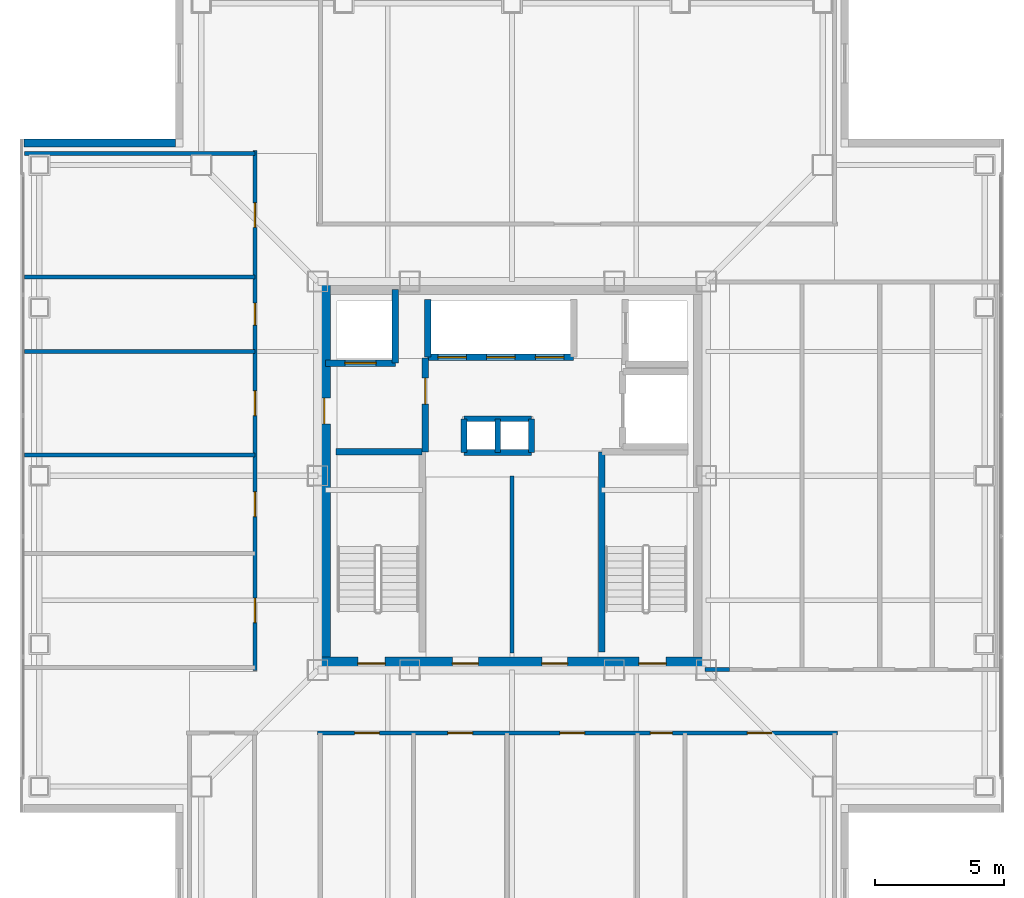
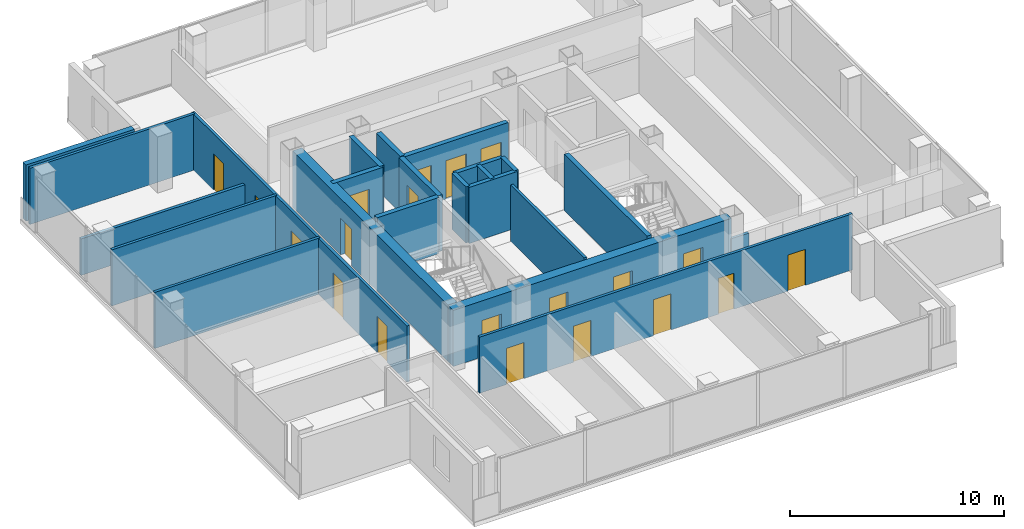
# One storey, part 9 of 16: 23 walls, 20 doors, 20 openings.
"""IFC4 building model written with IfcOpenShell, lengths in metres."""

from ifc_helpers import new_model, si_unit, direction, frame, frame_2d, origin, place, context, subcontext, project, spatial, rectangle, extrude, material, layer, layer_set, type_object, element, fill, save


model = new_model("IFC4")

# Units and contexts
model_context = context("Model", 3, precision=1e-05, world=origin(), true_north=direction((0.0, 1.0)))
body_context = subcontext(model_context, "Body", "Model", "MODEL_VIEW")
ifc_project = project(units=[si_unit("LENGTHUNIT", "METRE"), si_unit("AREAUNIT", "SQUARE_METRE"), si_unit("VOLUMEUNIT", "CUBIC_METRE"), si_unit("PLANEANGLEUNIT", "RADIAN"), si_unit("MASSUNIT", "GRAM", prefix="KILO")], contexts=[model_context])

# Site, building, storey
site_placement = place(None, origin())
site = spatial("IfcSite", under=ifc_project, at=site_placement, CompositionType="ELEMENT")
building_placement = place(site_placement, origin())
building = spatial("IfcBuilding", under=site, at=building_placement, Name="Trevonay Congress Spire", CompositionType="ELEMENT")
storey_placement = place(building_placement, frame((0.0, 0.0, 297.199951171875)))
storey = spatial("IfcBuildingStorey", under=building, at=storey_placement, Name="L78", CompositionType="ELEMENT", Elevation=297.199951171875)

# Wall, openings, doors
ifc_material_1 = material(Name="Concrete C50/60", Category="concrete")
ifc_layer_1 = layer(ifc_material_1, 0.5, Name="Concrete C50/60")
ifc_layer_set_1 = layer_set([ifc_layer_1], Name="Concrete C50/60")
wall_type_1 = type_object("IfcWallType", Name="WAL-CORE-500", PredefinedType="SHEAR", material=ifc_layer_set_1)
wall_1_placement = place(storey_placement, frame((-7.5, -7.25, 0.0), z_axis=(0.0, 0.0, 1.0), x_axis=(1.0, 0.0, 0.0)))
wall_1 = element("IfcWall", 1, at=wall_1_placement, inside=storey, type_object=wall_type_1, Name="L78 South structural core shear wall", PredefinedType="SHEAR", context=body_context, shape_type="SweptSolid", body=[
    extrude(rectangle(XDim=15.0, YDim=0.5, at=frame_2d((7.5, 0.0))), origin(), (0.0, 0.0, 1.0), 3.199951171875),
])
opening_1_placement = place(wall_1_placement, frame((1.550048828125, 0.0, 0.0)))
opening_1 = element("IfcOpeningElement", 2, at=opening_1_placement, cuts=wall_1, Name="Opening D05", PredefinedType="OPENING", context=body_context, shape_type="SweptSolid", body=[
    extrude(rectangle(XDim=1.050048828125, YDim=2.080078125, at=frame_2d((0.52490234375, 1.0400390625))), frame((0.0, 0.260009765625, 0.0), z_axis=(0.0, -1.0, 0.0), x_axis=(1.0, 0.0, 0.0)), (0.0, 0.0, 1.0), 0.52001953125),
])
opening_2_placement = place(wall_1_placement, frame((12.39990234375, 0.0, 0.0)))
opening_2 = element("IfcOpeningElement", 3, at=opening_2_placement, cuts=wall_1, Name="Opening D05", PredefinedType="OPENING", context=body_context, shape_type="SweptSolid", body=[
    extrude(rectangle(XDim=1.050048828125, YDim=2.080078125, at=frame_2d((0.52490234375, 1.0400390625))), frame((0.0, 0.260009765625, 0.0), z_axis=(0.0, -1.0, 0.0), x_axis=(1.0, 0.0, 0.0)), (0.0, 0.0, 1.0), 0.52001953125),
])
opening_3_placement = place(wall_1_placement, frame((5.199951171875, 0.0, 0.0)))
opening_3 = element("IfcOpeningElement", 4, at=opening_3_placement, cuts=wall_1, Name="Opening D06", PredefinedType="OPENING", context=body_context, shape_type="SweptSolid", body=[
    extrude(rectangle(XDim=1.0, YDim=2.080078125, at=frame_2d((0.5, 1.0400390625))), frame((0.0, 0.260009765625, 0.0), z_axis=(0.0, -1.0, 0.0), x_axis=(1.0, 0.0, 0.0)), (0.0, 0.0, 1.0), 0.52001953125),
])
opening_4_placement = place(wall_1_placement, frame((8.64990234375, 0.0, 0.0)))
opening_4 = element("IfcOpeningElement", 5, at=opening_4_placement, cuts=wall_1, Name="Opening D06", PredefinedType="OPENING", context=body_context, shape_type="SweptSolid", body=[
    extrude(rectangle(XDim=1.0, YDim=2.080078125, at=frame_2d((0.5, 1.0400390625))), frame((0.0, 0.260009765625, 0.0), z_axis=(0.0, -1.0, 0.0), x_axis=(1.0, 0.0, 0.0)), (0.0, 0.0, 1.0), 0.52001953125),
])
ifc_material_2 = material(Name="Steel ASTM A572 Grade 50", Category="steel")
door_type_1 = type_object("IfcDoorType", Name="DOR-FIRE-100", OperationType="NOTDEFINED", PredefinedType="DOOR", material=ifc_material_2)
door_1_placement = place(opening_3_placement, origin())
door_1 = element("IfcDoor", 6, at=door_1_placement, inside=storey, type_object=door_type_1, Name="L78 South Core Room 1 Door", OperationType="SINGLE_SWING_LEFT", OverallHeight=2.080078125, OverallWidth=1.0, PredefinedType="DOOR", context=body_context, shape_type="SweptSolid", body=[
    extrude(rectangle(XDim=1.0, YDim=2.080078125, at=frame_2d((0.5, 1.0400390625))), frame((0.0, 0.02490234375, 0.0), z_axis=(0.0, -1.0, 0.0), x_axis=(1.0, 0.0, 0.0)), (0.0, 0.0, 1.0), 0.050048828125),
])
fill(opening_3, door_1)
door_2_placement = place(opening_4_placement, origin())
door_2 = element("IfcDoor", 7, at=door_2_placement, inside=storey, type_object=door_type_1, Name="L78 South Core Room 2 Door", OperationType="SINGLE_SWING_RIGHT", OverallHeight=2.080078125, OverallWidth=1.0, PredefinedType="DOOR", context=body_context, shape_type="SweptSolid", body=[
    extrude(rectangle(XDim=1.0, YDim=2.080078125, at=frame_2d((0.5, 1.0400390625))), frame((0.0, 0.02490234375, 0.0), z_axis=(0.0, -1.0, 0.0), x_axis=(1.0, 0.0, 0.0)), (0.0, 0.0, 1.0), 0.050048828125),
])
fill(opening_4, door_2)
door_type_2 = type_object("IfcDoorType", Name="DOR-STAIR-110", OperationType="NOTDEFINED", PredefinedType="DOOR", material=ifc_material_2)
door_3_placement = place(opening_1_placement, origin())
door_3 = element("IfcDoor", 8, at=door_3_placement, inside=storey, type_object=door_type_2, Name="L78 Protected Stair ST-1 Door", OperationType="SINGLE_SWING_RIGHT", OverallHeight=2.080078125, OverallWidth=1.050048828125, PredefinedType="DOOR", context=body_context, shape_type="SweptSolid", body=[
    extrude(rectangle(XDim=1.050048828125, YDim=2.080078125, at=frame_2d((0.52490234375, 1.0400390625))), frame((0.0, 0.02490234375, 0.0), z_axis=(0.0, -1.0, 0.0), x_axis=(1.0, 0.0, 0.0)), (0.0, 0.0, 1.0), 0.050048828125),
])
fill(opening_1, door_3)
door_4_placement = place(opening_2_placement, origin())
door_4 = element("IfcDoor", 9, at=door_4_placement, inside=storey, type_object=door_type_2, Name="L78 Protected Stair ST-2 Door", OperationType="SINGLE_SWING_LEFT", OverallHeight=2.080078125, OverallWidth=1.050048828125, PredefinedType="DOOR", context=body_context, shape_type="SweptSolid", body=[
    extrude(rectangle(XDim=1.050048828125, YDim=2.080078125, at=frame_2d((0.52490234375, 1.0400390625))), frame((0.0, 0.02490234375, 0.0), z_axis=(0.0, -1.0, 0.0), x_axis=(1.0, 0.0, 0.0)), (0.0, 0.0, 1.0), 0.050048828125),
])
fill(opening_2, door_4)

# Wall, opening, door
wall_2_placement = place(storey_placement, frame((-7.25, -7.5, 0.0), z_axis=(0.0, 0.0, 1.0), x_axis=(0.0, 1.0, 0.0)))
wall_2 = element("IfcWall", 10, at=wall_2_placement, inside=storey, type_object=wall_type_1, Name="L78 West structural core shear wall", PredefinedType="SHEAR", context=body_context, shape_type="SweptSolid", body=[
    extrude(rectangle(XDim=15.0, YDim=0.5, at=frame_2d((7.5, 0.0))), origin(), (0.0, 0.0, 1.0), 3.199951171875),
])
opening_5_placement = place(wall_2_placement, frame((9.5, 0.0, 0.0)))
opening_5 = element("IfcOpeningElement", 11, at=opening_5_placement, cuts=wall_2, Name="Opening D06", PredefinedType="OPENING", context=body_context, shape_type="SweptSolid", body=[
    extrude(rectangle(XDim=1.0, YDim=2.080078125, at=frame_2d((0.5, 1.0400390625))), frame((0.0, 0.260009765625, 0.0), z_axis=(0.0, -1.0, 0.0), x_axis=(1.0, 0.0, 0.0)), (0.0, 0.0, 1.0), 0.52001953125),
])
door_5_placement = place(opening_5_placement, origin())
door_5 = element("IfcDoor", 12, at=door_5_placement, inside=storey, type_object=door_type_1, Name="L78 Firefighting Lift Lobby West Corridor Door", OperationType="SINGLE_SWING_RIGHT", OverallHeight=2.080078125, OverallWidth=1.0, PredefinedType="DOOR", context=body_context, shape_type="SweptSolid", body=[
    extrude(rectangle(XDim=1.0, YDim=2.080078125, at=frame_2d((0.5, 1.0400390625))), frame((0.0, 0.02490234375, 0.0), z_axis=(0.0, -1.0, 0.0), x_axis=(1.0, 0.0, 0.0)), (0.0, 0.0, 1.0), 0.050048828125),
])
fill(opening_5, door_5)

# Wall, openings, doors
ifc_material_3 = material(Name="Concrete C40/50", Category="concrete")
ifc_layer_2 = layer(ifc_material_3, 0.14990234375, Name="Concrete C40/50")
ifc_layer_set_2 = layer_set([ifc_layer_2], Name="Concrete C40/50")
wall_type_2 = type_object("IfcWallType", Name="WAL-CORR-150", PredefinedType="PARTITIONING", material=ifc_layer_set_2)
wall_3_placement = place(storey_placement, frame((-7.52001953125, -9.929931640625, 0.0), z_axis=(0.0, 0.0, 1.0), x_axis=(1.0, 0.0, 0.0)))
wall_3 = element("IfcWall", 13, at=wall_3_placement, inside=storey, type_object=wall_type_2, Name="L78 interior wall WP-L78SE-COR", PredefinedType="PARTITIONING", context=body_context, shape_type="SweptSolid", body=[
    extrude(rectangle(XDim=20.090087890625, YDim=0.14990234375, at=frame_2d((10.044921875, 0.0))), origin(), (0.0, 0.0, 1.0), 3.199951171875),
])
opening_6_placement = place(wall_3_placement, frame((1.445068359375, 0.0, 0.0)))
opening_6 = element("IfcOpeningElement", 14, at=opening_6_placement, cuts=wall_3, Name="Opening D07", PredefinedType="OPENING", context=body_context, shape_type="SweptSolid", body=[
    extrude(rectangle(XDim=0.949951171875, YDim=2.06005859375, at=frame_2d((0.47509765625, 1.030029296875))), frame((0.0, 0.0849609375, 0.0), z_axis=(0.0, -1.0, 0.0), x_axis=(1.0, 0.0, 0.0)), (0.0, 0.0, 1.0), 0.169921875),
])
opening_7_placement = place(wall_3_placement, frame((5.044921875, 0.0, 0.0)))
opening_7 = element("IfcOpeningElement", 15, at=opening_7_placement, cuts=wall_3, Name="Opening D07", PredefinedType="OPENING", context=body_context, shape_type="SweptSolid", body=[
    extrude(rectangle(XDim=0.949951171875, YDim=2.06005859375, at=frame_2d((0.47509765625, 1.030029296875))), frame((0.0, 0.0849609375, 0.0), z_axis=(0.0, -1.0, 0.0), x_axis=(1.0, 0.0, 0.0)), (0.0, 0.0, 1.0), 0.169921875),
])
opening_8_placement = place(wall_3_placement, frame((9.3701171875, 0.0, 0.0)))
opening_8 = element("IfcOpeningElement", 16, at=opening_8_placement, cuts=wall_3, Name="Opening D07", PredefinedType="OPENING", context=body_context, shape_type="SweptSolid", body=[
    extrude(rectangle(XDim=0.949951171875, YDim=2.06005859375, at=frame_2d((0.47509765625, 1.030029296875))), frame((0.0, 0.0849609375, 0.0), z_axis=(0.0, -1.0, 0.0), x_axis=(1.0, 0.0, 0.0)), (0.0, 0.0, 1.0), 0.169921875),
])
opening_9_placement = place(wall_3_placement, frame((12.860107421875, 0.0, 0.0)))
opening_9 = element("IfcOpeningElement", 17, at=opening_9_placement, cuts=wall_3, Name="Opening D10", PredefinedType="OPENING", context=body_context, shape_type="SweptSolid", body=[
    extrude(rectangle(XDim=0.85009765625, YDim=2.050048828125, at=frame_2d((0.425048828125, 1.02490234375))), frame((0.0, 0.0849609375, 0.0), z_axis=(0.0, -1.0, 0.0), x_axis=(1.0, 0.0, 0.0)), (0.0, 0.0, 1.0), 0.169921875),
])
opening_10_placement = place(wall_3_placement, frame((16.610107421875, 0.0, 0.0)))
opening_10 = element("IfcOpeningElement", 18, at=opening_10_placement, cuts=wall_3, Name="Opening D07", PredefinedType="OPENING", context=body_context, shape_type="SweptSolid", body=[
    extrude(rectangle(XDim=0.949951171875, YDim=2.06005859375, at=frame_2d((0.47509765625, 1.030029296875))), frame((0.0, 0.0849609375, 0.0), z_axis=(0.0, -1.0, 0.0), x_axis=(1.0, 0.0, 0.0)), (0.0, 0.0, 1.0), 0.169921875),
])
ifc_material_4 = material(Name="Pale Anodised Aluminium EN AW-6063-T6", Category="aluminium")
door_type_3 = type_object("IfcDoorType", Name="DOR-OFFICE-95", OperationType="NOTDEFINED", PredefinedType="DOOR", material=ifc_material_4)
door_6_placement = place(opening_6_placement, origin())
door_6 = element("IfcDoor", 19, at=door_6_placement, inside=storey, type_object=door_type_3, Name="L78 Sky Brasserie Show Kitchen Door", OperationType="SINGLE_SWING_LEFT", OverallHeight=2.06005859375, OverallWidth=0.949951171875, PredefinedType="DOOR", context=body_context, shape_type="SweptSolid", body=[
    extrude(rectangle(XDim=0.949951171875, YDim=2.06005859375, at=frame_2d((0.47509765625, 1.030029296875))), frame((0.0, 0.02490234375, 0.0), z_axis=(0.0, -1.0, 0.0), x_axis=(1.0, 0.0, 0.0)), (0.0, 0.0, 1.0), 0.050048828125),
])
fill(opening_6, door_6)
door_7_placement = place(opening_7_placement, origin())
door_7 = element("IfcDoor", 20, at=door_7_placement, inside=storey, type_object=door_type_3, Name="L78 Pastry Studio Kitchen Door", OperationType="SINGLE_SWING_RIGHT", OverallHeight=2.06005859375, OverallWidth=0.949951171875, PredefinedType="DOOR", context=body_context, shape_type="SweptSolid", body=[
    extrude(rectangle(XDim=0.949951171875, YDim=2.06005859375, at=frame_2d((0.47509765625, 1.030029296875))), frame((0.0, 0.02490234375, 0.0), z_axis=(0.0, -1.0, 0.0), x_axis=(1.0, 0.0, 0.0)), (0.0, 0.0, 1.0), 0.050048828125),
])
fill(opening_7, door_7)
door_8_placement = place(opening_8_placement, origin())
door_8 = element("IfcDoor", 21, at=door_8_placement, inside=storey, type_object=door_type_3, Name="L78 Espresso Roastery Bar Door", OperationType="SINGLE_SWING_LEFT", OverallHeight=2.06005859375, OverallWidth=0.949951171875, PredefinedType="DOOR", context=body_context, shape_type="SweptSolid", body=[
    extrude(rectangle(XDim=0.949951171875, YDim=2.06005859375, at=frame_2d((0.47509765625, 1.030029296875))), frame((0.0, 0.02490234375, 0.0), z_axis=(0.0, -1.0, 0.0), x_axis=(1.0, 0.0, 0.0)), (0.0, 0.0, 1.0), 0.050048828125),
])
fill(opening_8, door_8)
door_9_placement = place(opening_10_placement, origin())
door_9 = element("IfcDoor", 22, at=door_9_placement, inside=storey, type_object=door_type_3, Name="L78 Floor Supplies and Copy Room Door", OperationType="SINGLE_SWING_LEFT", OverallHeight=2.06005859375, OverallWidth=0.949951171875, PredefinedType="DOOR", context=body_context, shape_type="SweptSolid", body=[
    extrude(rectangle(XDim=0.949951171875, YDim=2.06005859375, at=frame_2d((0.47509765625, 1.030029296875))), frame((0.0, 0.02490234375, 0.0), z_axis=(0.0, -1.0, 0.0), x_axis=(1.0, 0.0, 0.0)), (0.0, 0.0, 1.0), 0.050048828125),
])
fill(opening_10, door_9)
door_type_4 = type_object("IfcDoorType", Name="DOR-WC-85", OperationType="NOTDEFINED", PredefinedType="DOOR", material=ifc_material_4)
door_10_placement = place(opening_9_placement, origin())
door_10 = element("IfcDoor", 23, at=door_10_placement, inside=storey, type_object=door_type_4, Name="L78 Accessible WC Door", OperationType="SINGLE_SWING_RIGHT", OverallHeight=2.050048828125, OverallWidth=0.85009765625, PredefinedType="DOOR", context=body_context, shape_type="SweptSolid", body=[
    extrude(rectangle(XDim=0.85009765625, YDim=2.050048828125, at=frame_2d((0.425048828125, 1.02490234375))), frame((0.0, 0.02490234375, 0.0), z_axis=(0.0, -1.0, 0.0), x_axis=(1.0, 0.0, 0.0)), (0.0, 0.0, 1.0), 0.050048828125),
])
fill(opening_9, door_10)

wall_4_placement = place(storey_placement, frame((-9.929931640625, -7.52001953125, 0.0), z_axis=(0.0, 0.0, 1.0), x_axis=(0.0, 1.0, 0.0)))
wall_4 = element("IfcWall", 24, at=wall_4_placement, inside=storey, type_object=wall_type_2, Name="L78 interior wall WP-L78NW-COR", PredefinedType="PARTITIONING", context=body_context, shape_type="SweptSolid", body=[
    extrude(rectangle(XDim=20.090087890625, YDim=0.14990234375, at=frame_2d((10.044921875, 0.0))), origin(), (0.0, 0.0, 1.0), 3.199951171875),
])
opening_11_placement = place(wall_4_placement, frame((1.844970703125, 0.0, 0.0)))
opening_11 = element("IfcOpeningElement", 25, at=opening_11_placement, cuts=wall_4, Name="Opening D07", PredefinedType="OPENING", context=body_context, shape_type="SweptSolid", body=[
    extrude(rectangle(XDim=0.949951171875, YDim=2.06005859375, at=frame_2d((0.47509765625, 1.030029296875))), frame((0.0, 0.0849609375, 0.0), z_axis=(0.0, -1.0, 0.0), x_axis=(1.0, 0.0, 0.0)), (0.0, 0.0, 1.0), 0.169921875),
])
opening_12_placement = place(wall_4_placement, frame((5.945068359375, 0.0, 0.0)))
opening_12 = element("IfcOpeningElement", 26, at=opening_12_placement, cuts=wall_4, Name="Opening D07", PredefinedType="OPENING", context=body_context, shape_type="SweptSolid", body=[
    extrude(rectangle(XDim=0.949951171875, YDim=2.06005859375, at=frame_2d((0.47509765625, 1.030029296875))), frame((0.0, 0.0849609375, 0.0), z_axis=(0.0, -1.0, 0.0), x_axis=(1.0, 0.0, 0.0)), (0.0, 0.0, 1.0), 0.169921875),
])
opening_13_placement = place(wall_4_placement, frame((9.844970703125, 0.0, 0.0)))
opening_13 = element("IfcOpeningElement", 27, at=opening_13_placement, cuts=wall_4, Name="Opening D07", PredefinedType="OPENING", context=body_context, shape_type="SweptSolid", body=[
    extrude(rectangle(XDim=0.949951171875, YDim=2.06005859375, at=frame_2d((0.47509765625, 1.030029296875))), frame((0.0, 0.0849609375, 0.0), z_axis=(0.0, -1.0, 0.0), x_axis=(1.0, 0.0, 0.0)), (0.0, 0.0, 1.0), 0.169921875),
])
opening_14_placement = place(wall_4_placement, frame((13.3349609375, 0.0, 0.0)))
opening_14 = element("IfcOpeningElement", 28, at=opening_14_placement, cuts=wall_4, Name="Opening D10", PredefinedType="OPENING", context=body_context, shape_type="SweptSolid", body=[
    extrude(rectangle(XDim=0.85009765625, YDim=2.050048828125, at=frame_2d((0.425048828125, 1.02490234375))), frame((0.0, 0.0849609375, 0.0), z_axis=(0.0, -1.0, 0.0), x_axis=(1.0, 0.0, 0.0)), (0.0, 0.0, 1.0), 0.169921875),
])
opening_15_placement = place(wall_4_placement, frame((17.110107421875, 0.0, 0.0)))
opening_15 = element("IfcOpeningElement", 29, at=opening_15_placement, cuts=wall_4, Name="Opening D07", PredefinedType="OPENING", context=body_context, shape_type="SweptSolid", body=[
    extrude(rectangle(XDim=0.949951171875, YDim=2.06005859375, at=frame_2d((0.47509765625, 1.030029296875))), frame((0.0, 0.0849609375, 0.0), z_axis=(0.0, -1.0, 0.0), x_axis=(1.0, 0.0, 0.0)), (0.0, 0.0, 1.0), 0.169921875),
])
door_11_placement = place(opening_11_placement, origin())
door_11 = element("IfcDoor", 30, at=door_11_placement, inside=storey, type_object=door_type_3, Name="L78 Private Chef Table Dining Door", OperationType="SINGLE_SWING_RIGHT", OverallHeight=2.06005859375, OverallWidth=0.949951171875, PredefinedType="DOOR", context=body_context, shape_type="SweptSolid", body=[
    extrude(rectangle(XDim=0.949951171875, YDim=2.06005859375, at=frame_2d((0.47509765625, 1.030029296875))), frame((0.0, 0.02490234375, 0.0), z_axis=(0.0, -1.0, 0.0), x_axis=(1.0, 0.0, 0.0)), (0.0, 0.0, 1.0), 0.050048828125),
])
fill(opening_11, door_11)
door_12_placement = place(opening_12_placement, origin())
door_12 = element("IfcDoor", 31, at=door_12_placement, inside=storey, type_object=door_type_3, Name="L78 Champagne Aperitif Bar Door", OperationType="SINGLE_SWING_LEFT", OverallHeight=2.06005859375, OverallWidth=0.949951171875, PredefinedType="DOOR", context=body_context, shape_type="SweptSolid", body=[
    extrude(rectangle(XDim=0.949951171875, YDim=2.06005859375, at=frame_2d((0.47509765625, 1.030029296875))), frame((0.0, 0.02490234375, 0.0), z_axis=(0.0, -1.0, 0.0), x_axis=(1.0, 0.0, 0.0)), (0.0, 0.0, 1.0), 0.050048828125),
])
fill(opening_12, door_12)
door_13_placement = place(opening_13_placement, origin())
door_13 = element("IfcDoor", 32, at=door_13_placement, inside=storey, type_object=door_type_3, Name="L78 Cold Larder Kitchen Door", OperationType="SINGLE_SWING_RIGHT", OverallHeight=2.06005859375, OverallWidth=0.949951171875, PredefinedType="DOOR", context=body_context, shape_type="SweptSolid", body=[
    extrude(rectangle(XDim=0.949951171875, YDim=2.06005859375, at=frame_2d((0.47509765625, 1.030029296875))), frame((0.0, 0.02490234375, 0.0), z_axis=(0.0, -1.0, 0.0), x_axis=(1.0, 0.0, 0.0)), (0.0, 0.0, 1.0), 0.050048828125),
])
fill(opening_13, door_13)
door_14_placement = place(opening_15_placement, origin())
door_14 = element("IfcDoor", 33, at=door_14_placement, inside=storey, type_object=door_type_3, Name="L78 Floor Supplies and Copy Room Door", OperationType="SINGLE_SWING_RIGHT", OverallHeight=2.06005859375, OverallWidth=0.949951171875, PredefinedType="DOOR", context=body_context, shape_type="SweptSolid", body=[
    extrude(rectangle(XDim=0.949951171875, YDim=2.06005859375, at=frame_2d((0.47509765625, 1.030029296875))), frame((0.0, 0.02490234375, 0.0), z_axis=(0.0, -1.0, 0.0), x_axis=(1.0, 0.0, 0.0)), (0.0, 0.0, 1.0), 0.050048828125),
])
fill(opening_15, door_14)
door_15_placement = place(opening_14_placement, origin())
door_15 = element("IfcDoor", 34, at=door_15_placement, inside=storey, type_object=door_type_4, Name="L78 Male Restroom WC Door", OperationType="SINGLE_SWING_LEFT", OverallHeight=2.050048828125, OverallWidth=0.85009765625, PredefinedType="DOOR", context=body_context, shape_type="SweptSolid", body=[
    extrude(rectangle(XDim=0.85009765625, YDim=2.050048828125, at=frame_2d((0.425048828125, 1.02490234375))), frame((0.0, 0.02490234375, 0.0), z_axis=(0.0, -1.0, 0.0), x_axis=(1.0, 0.0, 0.0)), (0.0, 0.0, 1.0), 0.050048828125),
])
fill(opening_14, door_15)

# Walls
wall_5_placement = place(storey_placement, frame((7.449951171875, -7.47998046875, 0.0), z_axis=(0.0, 0.0, 1.0), x_axis=(1.0, 0.0, 0.0)))
element("IfcWall", 35, at=wall_5_placement, inside=storey, type_object=wall_type_2, Name="L78 interior wall WP-L78E-STUB", PredefinedType="PARTITIONING", context=body_context, shape_type="SweptSolid", body=[
    extrude(rectangle(XDim=0.949951171875, YDim=0.14990234375, at=frame_2d((0.47509765625, 0.0))), origin(), (0.0, 0.0, 1.0), 2.074951171875),
])
ifc_material_5 = material(Name="Precast concrete C40/50", Category="concrete")
ifc_layer_3 = layer(ifc_material_5, 0.300048828125, Name="Precast concrete C40/50")
ifc_layer_set_3 = layer_set([ifc_layer_3], Name="Precast concrete C40/50")
wall_type_3 = type_object("IfcWallType", Name="WAL-EXT-PRECAST-300", PredefinedType="SOLIDWALL", material=ifc_layer_set_3)
wall_6_placement = place(storey_placement, frame((-18.85009765625, 12.85009765625, 0.0), z_axis=(0.0, 0.0, 1.0), x_axis=(1.0, 0.0, 0.0)))
element("IfcWall", 36, at=wall_6_placement, inside=storey, type_object=wall_type_3, Name="L78 NW re-entrant notch exterior wall 2", PredefinedType="SOLIDWALL", context=body_context, shape_type="SweptSolid", body=[
    extrude(rectangle(XDim=5.85009765625, YDim=0.300048828125, at=frame_2d((2.925048828125, 0.0))), origin(), (0.0, 0.0, 1.0), 3.199951171875),
])
ifc_layer_4 = layer(ifc_material_3, 0.14990234375, Name="Concrete C40/50")
ifc_layer_set_4 = layer_set([ifc_layer_4], Name="Concrete C40/50")
wall_type_4 = type_object("IfcWallType", Name="WAL-PART-150", PredefinedType="PARTITIONING", material=ifc_layer_set_4)
wall_7_placement = place(storey_placement, frame((0.0, -6.85009765625, 0.0), z_axis=(0.0, 0.0, 1.0), x_axis=(0.0, 1.0, 0.0)))
element("IfcWall", 37, at=wall_7_placement, inside=storey, type_object=wall_type_4, Name="L78 interior wall CW-F0-L78", PredefinedType="PARTITIONING", context=body_context, shape_type="SweptSolid", body=[
    extrude(rectangle(XDim=6.85009765625, YDim=0.14990234375, at=frame_2d((3.425048828125, 0.0))), origin(), (0.0, 0.0, 1.0), 3.199951171875),
])
for number, where, z_axis, x_axis, name in (
    (38, (-18.820068359375, 0.800048828125, 0.0), (0.0, 0.0, 1.0), (1.0, 0.0, 0.0), "L78 interior wall WP-L78NW-DIV3"),
    (39, (-18.820068359375, 4.800048828125, 0.0), (0.0, 0.0, 1.0), (1.0, 0.0, 0.0), "L78 interior wall WP-L78NW-DIV4"),
    (40, (-18.820068359375, 12.449951171875, 0.0), (0.0, 0.0, 1.0), (1.0, 0.0, 0.0), "L78 interior wall WP-L78NW-DIV5"),
):
    element("IfcWall", number, at=place(storey_placement, frame(where, z_axis=z_axis, x_axis=x_axis)), inside=storey, type_object=wall_type_4, Name=name, PredefinedType="PARTITIONING", context=body_context, shape_type="SweptSolid", body=[
        extrude(rectangle(XDim=8.89013671875, YDim=0.14990234375, at=frame_2d((4.445068359375, 0.0))), origin(), (0.0, 0.0, 1.0), 3.199951171875),
    ])
ifc_layer_5 = layer(ifc_material_3, 0.219970703125, Name="Concrete C40/50")
ifc_layer_set_5 = layer_set([ifc_layer_5], Name="Concrete C40/50")
wall_type_5 = type_object("IfcWallType", Name="WAL-SHAFT-220", PredefinedType="PARTITIONING", material=ifc_layer_set_5)
for number, where, z_axis, x_axis, name in (
    (41, (-1.85009765625, 2.199951171875, 0.0), (0.0, 0.0, 1.0), (1.0, 0.0, 0.0), "L78 interior shaft wall WSH-L78-RSR-N"),
    (42, (-1.85009765625, 0.89990234375, 0.0), (0.0, 0.0, 1.0), (1.0, 0.0, 0.0), "L78 interior shaft wall WSH-L78-RSR-S"),
):
    element("IfcWall", number, at=place(storey_placement, frame(where, z_axis=z_axis, x_axis=x_axis)), inside=storey, type_object=wall_type_5, Name=name, PredefinedType="PARTITIONING", context=body_context, shape_type="SweptSolid", body=[
        extrude(rectangle(XDim=2.60009765625, YDim=0.219970703125, at=frame_2d((1.300048828125, 0.0))), origin(), (0.0, 0.0, 1.0), 3.199951171875),
    ])
for number, where, z_axis, x_axis, name in (
    (43, (-0.550048828125, 0.89990234375, 0.0), (0.0, 0.0, 1.0), (0.0, 1.0, 0.0), "L78 interior shaft wall WSH-L78-RSR-M"),
    (44, (0.75, 0.89990234375, 0.0), (0.0, 0.0, 1.0), (0.0, 1.0, 0.0), "L78 interior shaft wall WSH-L78-RSR-E"),
    (45, (-1.85009765625, 0.89990234375, 0.0), (0.0, 0.0, 1.0), (0.0, 1.0, 0.0), "L78 interior shaft wall WSH-L78-RSR-W"),
):
    element("IfcWall", number, at=place(storey_placement, frame(where, z_axis=z_axis, x_axis=x_axis)), inside=storey, type_object=wall_type_5, Name=name, PredefinedType="PARTITIONING", context=body_context, shape_type="SweptSolid", body=[
        extrude(rectangle(XDim=1.300048828125, YDim=0.219970703125, at=frame_2d((0.64990234375, 0.0))), origin(), (0.0, 0.0, 1.0), 3.199951171875),
    ])

# Wall, openings, doors
ifc_layer_6 = layer(ifc_material_3, 0.25, Name="Concrete C40/50")
ifc_layer_set_6 = layer_set([ifc_layer_6], Name="Concrete C40/50")
wall_type_6 = type_object("IfcWallType", Name="WAL-SHAFT-250", PredefinedType="SHEAR", material=ifc_layer_set_6)
wall_8_placement = place(storey_placement, frame((-3.260009765625, 4.580078125, 0.0), z_axis=(0.0, 0.0, 1.0), x_axis=(1.0, 0.0, 0.0)))
wall_8 = element("IfcWall", 46, at=wall_8_placement, inside=storey, type_object=wall_type_6, Name="L78 interior shaft wall WSH-L78-B3-S", PredefinedType="SHEAR", context=body_context, shape_type="SweptSolid", body=[
    extrude(rectangle(XDim=5.639892578125, YDim=0.25, at=frame_2d((2.81982421875, 0.0))), origin(), (0.0, 0.0, 1.0), 3.199951171875),
])
opening_16_placement = place(wall_8_placement, frame((0.39990234375, 0.0, 0.0)))
opening_16 = element("IfcOpeningElement", 47, at=opening_16_placement, cuts=wall_8, Name="Opening LD03", PredefinedType="OPENING", context=body_context, shape_type="SweptSolid", body=[
    extrude(rectangle(XDim=1.10009765625, YDim=2.199951171875, at=frame_2d((0.550048828125, 1.10009765625))), frame((0.0, 0.135009765625, 0.0), z_axis=(0.0, -1.0, 0.0), x_axis=(1.0, 0.0, 0.0)), (0.0, 0.0, 1.0), 0.27001953125),
])
opening_17_placement = place(wall_8_placement, frame((2.280029296875, 0.0, 0.0)))
opening_17 = element("IfcOpeningElement", 48, at=opening_17_placement, cuts=wall_8, Name="Opening LD03", PredefinedType="OPENING", context=body_context, shape_type="SweptSolid", body=[
    extrude(rectangle(XDim=1.10009765625, YDim=2.199951171875, at=frame_2d((0.550048828125, 1.10009765625))), frame((0.0, 0.135009765625, 0.0), z_axis=(0.0, -1.0, 0.0), x_axis=(1.0, 0.0, 0.0)), (0.0, 0.0, 1.0), 0.27001953125),
])
opening_18_placement = place(wall_8_placement, frame((4.159912109375, 0.0, 0.0)))
opening_18 = element("IfcOpeningElement", 49, at=opening_18_placement, cuts=wall_8, Name="Opening LD03", PredefinedType="OPENING", context=body_context, shape_type="SweptSolid", body=[
    extrude(rectangle(XDim=1.10009765625, YDim=2.199951171875, at=frame_2d((0.550048828125, 1.10009765625))), frame((0.0, 0.135009765625, 0.0), z_axis=(0.0, -1.0, 0.0), x_axis=(1.0, 0.0, 0.0)), (0.0, 0.0, 1.0), 0.27001953125),
])
door_type_5 = type_object("IfcDoorType", Name="DOR-LIFT-LD03", OperationType="DOUBLE_DOOR_SLIDING", PredefinedType="DOOR", material=ifc_material_4)
door_16_placement = place(opening_16_placement, origin())
door_16 = element("IfcDoor", 50, at=door_16_placement, inside=storey, type_object=door_type_5, Name="L78 Passenger lift PL-07 landing door", OperationType="DOUBLE_DOOR_SLIDING", OverallHeight=2.199951171875, OverallWidth=1.10009765625, PredefinedType="DOOR", context=body_context, shape_type="SweptSolid", body=[
    extrude(rectangle(XDim=1.10009765625, YDim=2.199951171875, at=frame_2d((0.550048828125, 1.10009765625))), frame((0.0, 0.02490234375, 0.0), z_axis=(0.0, -1.0, 0.0), x_axis=(1.0, 0.0, 0.0)), (0.0, 0.0, 1.0), 0.050048828125),
])
fill(opening_16, door_16)
door_17_placement = place(opening_17_placement, origin())
door_17 = element("IfcDoor", 51, at=door_17_placement, inside=storey, type_object=door_type_5, Name="L78 Passenger lift PL-08 landing door", OperationType="DOUBLE_DOOR_SLIDING", OverallHeight=2.199951171875, OverallWidth=1.10009765625, PredefinedType="DOOR", context=body_context, shape_type="SweptSolid", body=[
    extrude(rectangle(XDim=1.10009765625, YDim=2.199951171875, at=frame_2d((0.550048828125, 1.10009765625))), frame((0.0, 0.02490234375, 0.0), z_axis=(0.0, -1.0, 0.0), x_axis=(1.0, 0.0, 0.0)), (0.0, 0.0, 1.0), 0.050048828125),
])
fill(opening_17, door_17)
door_18_placement = place(opening_18_placement, origin())
door_18 = element("IfcDoor", 52, at=door_18_placement, inside=storey, type_object=door_type_5, Name="L78 Passenger lift PL-09 landing door", OperationType="DOUBLE_DOOR_SLIDING", OverallHeight=2.199951171875, OverallWidth=1.10009765625, PredefinedType="DOOR", context=body_context, shape_type="SweptSolid", body=[
    extrude(rectangle(XDim=1.10009765625, YDim=2.199951171875, at=frame_2d((0.550048828125, 1.10009765625))), frame((0.0, 0.02490234375, 0.0), z_axis=(0.0, -1.0, 0.0), x_axis=(1.0, 0.0, 0.0)), (0.0, 0.0, 1.0), 0.050048828125),
])
fill(opening_18, door_18)

# Wall
wall_9_placement = place(storey_placement, frame((-3.260009765625, 4.580078125, 0.0), z_axis=(0.0, 0.0, 1.0), x_axis=(0.0, 1.0, 0.0)))
element("IfcWall", 53, at=wall_9_placement, inside=storey, type_object=wall_type_6, Name="L78 interior shaft wall WSH-L78-B3-W", PredefinedType="SHEAR", context=body_context, shape_type="SweptSolid", body=[
    extrude(rectangle(XDim=2.219970703125, YDim=0.25, at=frame_2d((1.10986328125, 0.0))), origin(), (0.0, 0.0, 1.0), 3.199951171875),
])

# Wall, opening, door
wall_10_placement = place(storey_placement, frame((-7.199951171875, 4.35009765625, 0.0), z_axis=(0.0, 0.0, 1.0), x_axis=(1.0, 0.0, 0.0)))
wall_10 = element("IfcWall", 54, at=wall_10_placement, inside=storey, type_object=wall_type_6, Name="L78 interior shaft wall WSH-L78-FF1-S", PredefinedType="SHEAR", context=body_context, shape_type="SweptSolid", body=[
    extrude(rectangle(XDim=2.699951171875, YDim=0.25, at=frame_2d((1.35009765625, 0.0))), origin(), (0.0, 0.0, 1.0), 3.199951171875),
])
opening_19_placement = place(wall_10_placement, frame((0.75, 0.0, 0.0)))
opening_19 = element("IfcOpeningElement", 55, at=opening_19_placement, cuts=wall_10, Name="Opening LD04", PredefinedType="OPENING", context=body_context, shape_type="SweptSolid", body=[
    extrude(rectangle(XDim=1.199951171875, YDim=2.199951171875, at=frame_2d((0.60009765625, 1.10009765625))), frame((0.0, 0.135009765625, 0.0), z_axis=(0.0, -1.0, 0.0), x_axis=(1.0, 0.0, 0.0)), (0.0, 0.0, 1.0), 0.27001953125),
])
door_type_6 = type_object("IfcDoorType", Name="DOR-LIFT-LD04", OperationType="DOUBLE_DOOR_SLIDING", PredefinedType="DOOR", material=ifc_material_2)
door_19_placement = place(opening_19_placement, origin())
door_19 = element("IfcDoor", 56, at=door_19_placement, inside=storey, type_object=door_type_6, Name="L78 Firefighting lift FFL-01 landing door", OperationType="DOUBLE_DOOR_SLIDING", OverallHeight=2.199951171875, OverallWidth=1.199951171875, PredefinedType="DOOR", context=body_context, shape_type="SweptSolid", body=[
    extrude(rectangle(XDim=1.199951171875, YDim=2.199951171875, at=frame_2d((0.60009765625, 1.10009765625))), frame((0.0, 0.02490234375, 0.0), z_axis=(0.0, -1.0, 0.0), x_axis=(1.0, 0.0, 0.0)), (0.0, 0.0, 1.0), 0.050048828125),
])
fill(opening_19, door_19)

# Wall
wall_11_placement = place(storey_placement, frame((-4.5, 4.35009765625, 0.0), z_axis=(0.0, 0.0, 1.0), x_axis=(0.0, 1.0, 0.0)))
element("IfcWall", 57, at=wall_11_placement, inside=storey, type_object=wall_type_6, Name="L78 interior shaft wall WSH-L78-FF1-E", PredefinedType="SHEAR", context=body_context, shape_type="SweptSolid", body=[
    extrude(rectangle(XDim=2.849853515625, YDim=0.25, at=frame_2d((1.4248046875, 0.0))), origin(), (0.0, 0.0, 1.0), 3.199951171875),
])

# Wall, opening, door
wall_12_placement = place(storey_placement, frame((-3.35009765625, 0.919921875, 0.0), z_axis=(0.0, 0.0, 1.0), x_axis=(0.0, 1.0, 0.0)))
wall_12 = element("IfcWall", 58, at=wall_12_placement, inside=storey, type_object=wall_type_6, Name="L78 interior wall CW-FFLW-E-L78", PredefinedType="SHEAR", context=body_context, shape_type="SweptSolid", body=[
    extrude(rectangle(XDim=3.6201171875, YDim=0.25, at=frame_2d((1.81005859375, 0.0))), origin(), (0.0, 0.0, 1.0), 3.199951171875),
])
opening_20_placement = place(wall_12_placement, frame((1.85009765625, 0.0, 0.0)))
opening_20 = element("IfcOpeningElement", 59, at=opening_20_placement, cuts=wall_12, Name="Opening D06", PredefinedType="OPENING", context=body_context, shape_type="SweptSolid", body=[
    extrude(rectangle(XDim=1.0, YDim=2.080078125, at=frame_2d((0.5, 1.0400390625))), frame((0.0, 0.135009765625, 0.0), z_axis=(0.0, -1.0, 0.0), x_axis=(1.0, 0.0, 0.0)), (0.0, 0.0, 1.0), 0.27001953125),
])
door_20_placement = place(opening_20_placement, origin())
door_20 = element("IfcDoor", 60, at=door_20_placement, inside=storey, type_object=door_type_1, Name="L78 Firefighting Core Lobby Transfer Door", OperationType="SINGLE_SWING_LEFT", OverallHeight=2.080078125, OverallWidth=1.0, PredefinedType="DOOR", context=body_context, shape_type="SweptSolid", body=[
    extrude(rectangle(XDim=1.0, YDim=2.080078125, at=frame_2d((0.5, 1.0400390625))), frame((0.0, 0.02490234375, 0.0), z_axis=(0.0, -1.0, 0.0), x_axis=(1.0, 0.0, 0.0)), (0.0, 0.0, 1.0), 0.050048828125),
])
fill(opening_20, door_20)

# Walls
ifc_layer_7 = layer(ifc_material_3, 0.25, Name="Concrete C40/50")
ifc_layer_set_7 = layer_set([ifc_layer_7], Name="Concrete C40/50")
wall_type_7 = type_object("IfcWallType", Name="WAL-SHAFT-LB-250", PredefinedType="SHEAR", material=ifc_layer_set_7)
wall_13_placement = place(storey_placement, frame((-6.800048828125, 0.919921875, 0.0), z_axis=(0.0, 0.0, 1.0), x_axis=(1.0, 0.0, 0.0)))
element("IfcWall", 61, at=wall_13_placement, inside=storey, type_object=wall_type_7, Name="L78 interior shaft wall WSH-L78-ST1-N", PredefinedType="SHEAR", context=body_context, shape_type="SweptSolid", body=[
    extrude(rectangle(XDim=3.330078125, YDim=0.25, at=frame_2d((1.6650390625, 0.0))), origin(), (0.0, 0.0, 1.0), 3.199951171875),
])
wall_14_placement = place(storey_placement, frame((3.469970703125, -6.800048828125, 0.0), z_axis=(0.0, 0.0, 1.0), x_axis=(0.0, 1.0, 0.0)))
element("IfcWall", 62, at=wall_14_placement, inside=storey, type_object=wall_type_7, Name="L78 interior shaft wall WSH-L78-ST2-W", PredefinedType="SHEAR", context=body_context, shape_type="SweptSolid", body=[
    extrude(rectangle(XDim=7.719970703125, YDim=0.25, at=frame_2d((3.85986328125, 0.0))), origin(), (0.0, 0.0, 1.0), 3.199951171875),
])
ifc_layer_8 = layer(ifc_material_3, 0.1650390625, Name="Concrete C40/50")
ifc_layer_set_8 = layer_set([ifc_layer_8], Name="Concrete C40/50")
wall_type_8 = type_object("IfcWallType", Name="WAL-WET-165", PredefinedType="PLUMBINGWALL", material=ifc_layer_set_8)
wall_15_placement = place(storey_placement, frame((-18.820068359375, 7.679931640625, 0.0), z_axis=(0.0, 0.0, 1.0), x_axis=(1.0, 0.0, 0.0)))
element("IfcWall", 63, at=wall_15_placement, inside=storey, type_object=wall_type_8, Name="L78 interior wall WP-L78NW-WCS4", PredefinedType="PLUMBINGWALL", context=body_context, shape_type="SweptSolid", body=[
    extrude(rectangle(XDim=8.89013671875, YDim=0.1650390625, at=frame_2d((4.445068359375, 0.0))), origin(), (0.0, 0.0, 1.0), 2.074951171875),
])

save(model, "model.ifc")
